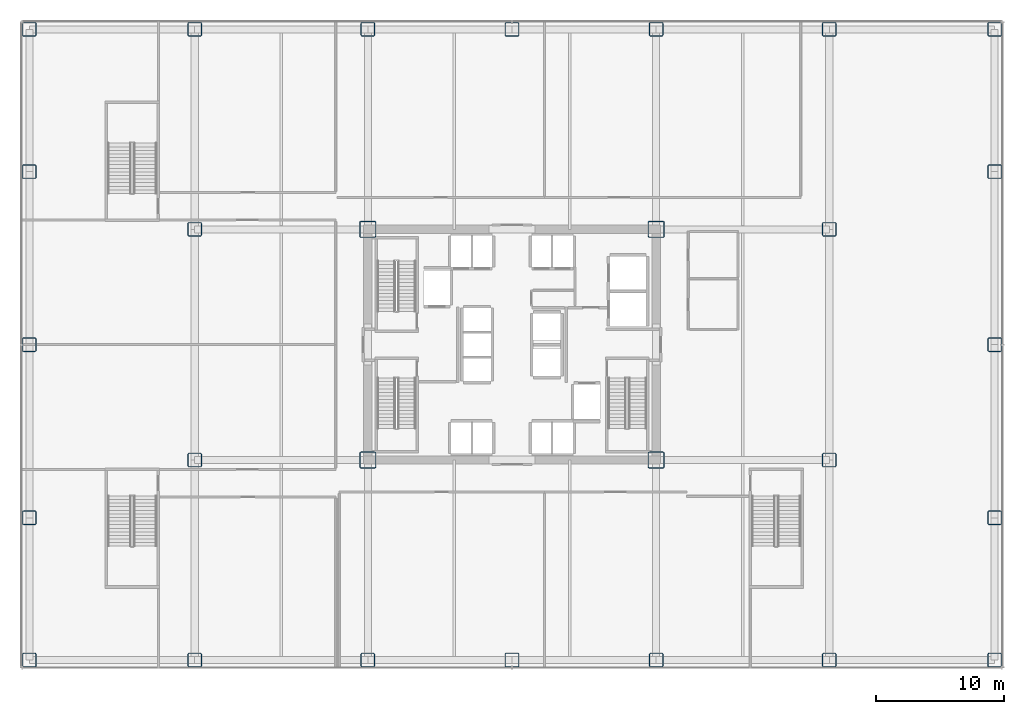
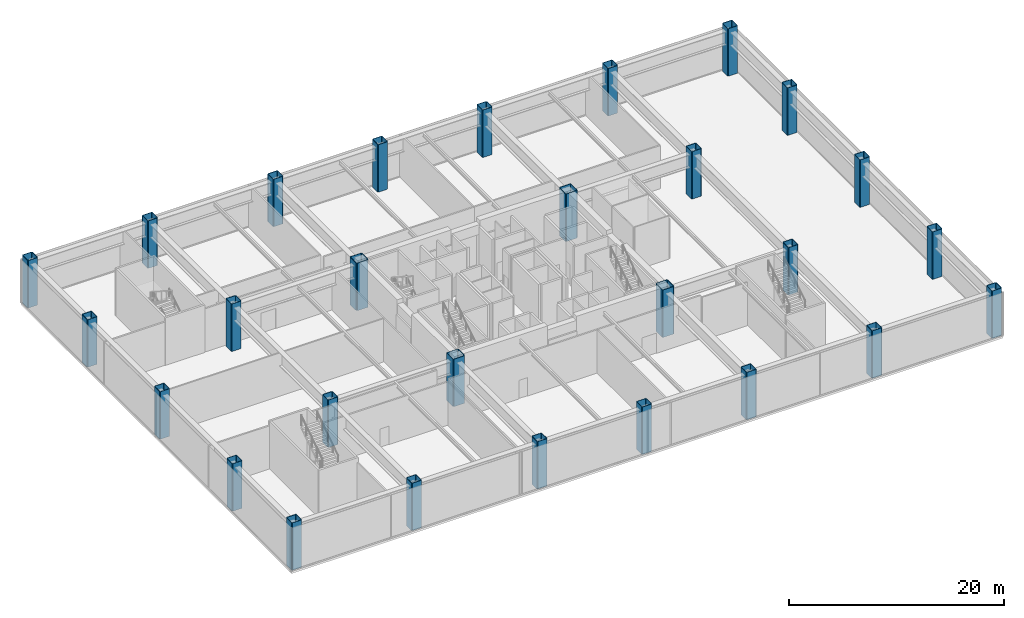
# One storey, part 1 of 24: 28 columns.
"""IFC4 building model written with IfcOpenShell, lengths in metres."""

from ifc_helpers import new_model, si_unit, direction, frame, origin, origin_2d, place, context, subcontext, project, spatial, hollow_rectangle, extrude, source, transform, mapped, material, material_profile, profile_set, type_object, element, save


model = new_model("IFC4")

# Units and contexts
model_context = context("Model", 3, precision=1e-05, world=origin(), true_north=direction((0.0, 1.0)))
body_context = subcontext(model_context, "Body", "Model", "MODEL_VIEW")
ifc_project = project(units=[si_unit("LENGTHUNIT", "METRE"), si_unit("AREAUNIT", "SQUARE_METRE"), si_unit("VOLUMEUNIT", "CUBIC_METRE"), si_unit("PLANEANGLEUNIT", "RADIAN"), si_unit("MASSUNIT", "GRAM", prefix="KILO")], contexts=[model_context])

# Site, building, storey
site_placement = place(None, origin())
site = spatial("IfcSite", under=ifc_project, at=site_placement, CompositionType="ELEMENT")
building_placement = place(site_placement, origin())
building = spatial("IfcBuilding", under=site, at=building_placement, Name="Nefas-Gora Pilgrimage Tower", CompositionType="ELEMENT")
storey_placement = place(building_placement, frame((0.0, 0.0, 22.199951171875)))
storey = spatial("IfcBuildingStorey", under=building, at=storey_placement, Name="L04", CompositionType="ELEMENT", Elevation=22.199951171875)

# Columns
ifc_material = material(Name="Steel S460", Category="steel")
ifc_material_profile_1 = material_profile(ifc_material, hollow_rectangle(XDim=1.10009765625, YDim=1.10009765625, WallThickness=0.054931640625, InnerFilletRadius=0.054931640625, OuterFilletRadius=0.110107421875, at=origin_2d()), Name="BOX 1100x1100x55")
ifc_profile_set_1 = profile_set([ifc_material_profile_1], Name="Steel S460")
column_type_1 = type_object("IfcColumnType", Name="COL-MEGA-1100E", PredefinedType="COLUMN", material=ifc_profile_set_1)
shared_shape_1 = source(origin(), body_context, "Body", "SweptSolid", [
    extrude(hollow_rectangle(XDim=1.10009765625, YDim=1.10009765625, WallThickness=0.054931640625, InnerFilletRadius=0.054931640625, OuterFilletRadius=0.110107421875, at=origin_2d()), origin(), (0.0, 0.0, 1.0), 5.400146484375),
])
for number, where, z_axis, x_axis, name in (
    (1, (-37.64990234375, -24.60009765625, 0.0), (0.0, 0.0, 1.0), (1.0, 0.0, 0.0), "L04 Mega-Column MC-02E.1"),
    (2, (-37.64990234375, -13.5, 0.0), (0.0, 0.0, 1.0), (1.0, 0.0, 0.0), "L04 Mega-Column MC-02E.2"),
    (3, (-37.64990234375, 0.0, 0.0), (0.0, 0.0, 1.0), (1.0, 0.0, 0.0), "L04 Mega-Column MC-02E.3"),
    (4, (-37.64990234375, 13.5, 0.0), (0.0, 0.0, 1.0), (1.0, 0.0, 0.0), "L04 Mega-Column MC-02E.4"),
    (5, (-37.64990234375, 24.60009765625, 0.0), (0.0, 0.0, 1.0), (1.0, 0.0, 0.0), "L04 Mega-Column MC-02E.5"),
    (6, (-24.75, -24.60009765625, 0.0), (0.0, 0.0, 1.0), (1.0, 0.0, 0.0), "L04 Mega-Column MC-02E.6"),
    (7, (-24.75, 24.60009765625, 0.0), (0.0, 0.0, 1.0), (1.0, 0.0, 0.0), "L04 Mega-Column MC-02E.9"),
    (8, (-11.25, -24.60009765625, 0.0), (0.0, 0.0, 1.0), (1.0, 0.0, 0.0), "L04 Mega-Column MC-02E.10"),
    (9, (-11.25, 24.60009765625, 0.0), (0.0, 0.0, 1.0), (1.0, 0.0, 0.0), "L04 Mega-Column MC-02E.13"),
    (10, (0.0, -24.60009765625, 0.0), (0.0, 0.0, 1.0), (1.0, 0.0, 0.0), "L04 Mega-Column MC-02E.14"),
    (11, (0.0, 24.60009765625, 0.0), (0.0, 0.0, 1.0), (1.0, 0.0, 0.0), "L04 Mega-Column MC-02E.15"),
    (12, (11.25, -24.60009765625, 0.0), (0.0, 0.0, 1.0), (1.0, 0.0, 0.0), "L04 Mega-Column MC-02E.16"),
    (13, (11.25, 24.60009765625, 0.0), (0.0, 0.0, 1.0), (1.0, 0.0, 0.0), "L04 Mega-Column MC-02E.19"),
    (14, (24.75, -24.60009765625, 0.0), (0.0, 0.0, 1.0), (1.0, 0.0, 0.0), "L04 Mega-Column MC-02E.20"),
    (15, (24.75, 24.60009765625, 0.0), (0.0, 0.0, 1.0), (1.0, 0.0, 0.0), "L04 Mega-Column MC-02E.23"),
    (16, (37.64990234375, -24.60009765625, 0.0), (0.0, 0.0, 1.0), (1.0, 0.0, 0.0), "L04 Mega-Column MC-02E.24"),
    (17, (37.64990234375, -13.5, 0.0), (0.0, 0.0, 1.0), (1.0, 0.0, 0.0), "L04 Mega-Column MC-02E.25"),
    (18, (37.64990234375, 0.0, 0.0), (0.0, 0.0, 1.0), (1.0, 0.0, 0.0), "L04 Mega-Column MC-02E.26"),
    (19, (37.64990234375, 13.5, 0.0), (0.0, 0.0, 1.0), (1.0, 0.0, 0.0), "L04 Mega-Column MC-02E.27"),
    (20, (37.64990234375, 24.60009765625, 0.0), (0.0, 0.0, 1.0), (1.0, 0.0, 0.0), "L04 Mega-Column MC-02E.28"),
):
    element("IfcColumn", number, at=place(storey_placement, frame(where, z_axis=z_axis, x_axis=x_axis)), inside=storey, type_object=column_type_1, Name=name, PredefinedType="COLUMN", context=body_context, shape_type="MappedRepresentation", body=[
        mapped(shared_shape_1, transform((0.0, 0.0, 0.0), x_axis=(1.0, 0.0, 0.0), y_axis=(0.0, 1.0, 0.0), z_axis=(0.0, 0.0, 1.0), scale=1.0)),
    ])
ifc_material_profile_2 = material_profile(ifc_material, hollow_rectangle(XDim=1.10009765625, YDim=1.10009765625, WallThickness=0.054931640625, InnerFilletRadius=0.054931640625, OuterFilletRadius=0.110107421875, at=origin_2d()), Name="BOX 1100x1100x55")
ifc_profile_set_2 = profile_set([ifc_material_profile_2], Name="Steel S460")
column_type_2 = type_object("IfcColumnType", Name="COL-MEGA-1100", PredefinedType="COLUMN", material=ifc_profile_set_2)
shared_shape_2 = source(origin(), body_context, "Body", "SweptSolid", [
    extrude(hollow_rectangle(XDim=1.10009765625, YDim=1.10009765625, WallThickness=0.054931640625, InnerFilletRadius=0.054931640625, OuterFilletRadius=0.110107421875, at=origin_2d()), origin(), (0.0, 0.0, 1.0), 5.400146484375),
])
for number, where, z_axis, x_axis, name in (
    (21, (-24.75, -9.0, 0.0), (0.0, 0.0, 1.0), (1.0, 0.0, 0.0), "L04 Mega-Column MC-02.7"),
    (22, (-24.75, 9.0, 0.0), (0.0, 0.0, 1.0), (1.0, 0.0, 0.0), "L04 Mega-Column MC-02.8"),
    (23, (24.75, -9.0, 0.0), (0.0, 0.0, 1.0), (1.0, 0.0, 0.0), "L04 Mega-Column MC-02.21"),
    (24, (24.75, 9.0, 0.0), (0.0, 0.0, 1.0), (1.0, 0.0, 0.0), "L04 Mega-Column MC-02.22"),
):
    element("IfcColumn", number, at=place(storey_placement, frame(where, z_axis=z_axis, x_axis=x_axis)), inside=storey, type_object=column_type_2, Name=name, PredefinedType="COLUMN", context=body_context, shape_type="MappedRepresentation", body=[
        mapped(shared_shape_2, transform((0.0, 0.0, 0.0), x_axis=(1.0, 0.0, 0.0), y_axis=(0.0, 1.0, 0.0), z_axis=(0.0, 0.0, 1.0), scale=1.0)),
    ])
ifc_material_profile_3 = material_profile(ifc_material, hollow_rectangle(XDim=1.300048828125, YDim=1.300048828125, WallThickness=0.06494140625, InnerFilletRadius=0.06494140625, OuterFilletRadius=0.1298828125, at=origin_2d()), Name="BOX 1300x1300x65")
ifc_profile_set_3 = profile_set([ifc_material_profile_3], Name="Steel S460")
column_type_3 = type_object("IfcColumnType", Name="COL-MEGA-1300", PredefinedType="COLUMN", material=ifc_profile_set_3)
shared_shape_3 = source(origin(), body_context, "Body", "SweptSolid", [
    extrude(hollow_rectangle(XDim=1.300048828125, YDim=1.300048828125, WallThickness=0.06494140625, InnerFilletRadius=0.06494140625, OuterFilletRadius=0.1298828125, at=origin_2d()), origin(), (0.0, 0.0, 1.0), 5.400146484375),
])
for number, where, z_axis, x_axis, name in (
    (25, (-11.25, -9.0, 0.0), (0.0, 0.0, 1.0), (1.0, 0.0, 0.0), "L04 Mega-Column MC-01.11"),
    (26, (-11.25, 9.0, 0.0), (0.0, 0.0, 1.0), (1.0, 0.0, 0.0), "L04 Mega-Column MC-01.12"),
    (27, (11.25, -9.0, 0.0), (0.0, 0.0, 1.0), (1.0, 0.0, 0.0), "L04 Mega-Column MC-01.17"),
    (28, (11.25, 9.0, 0.0), (0.0, 0.0, 1.0), (1.0, 0.0, 0.0), "L04 Mega-Column MC-01.18"),
):
    element("IfcColumn", number, at=place(storey_placement, frame(where, z_axis=z_axis, x_axis=x_axis)), inside=storey, type_object=column_type_3, Name=name, PredefinedType="COLUMN", context=body_context, shape_type="MappedRepresentation", body=[
        mapped(shared_shape_3, transform((0.0, 0.0, 0.0), x_axis=(1.0, 0.0, 0.0), y_axis=(0.0, 1.0, 0.0), z_axis=(0.0, 0.0, 1.0), scale=1.0)),
    ])

save(model, "model.ifc")
